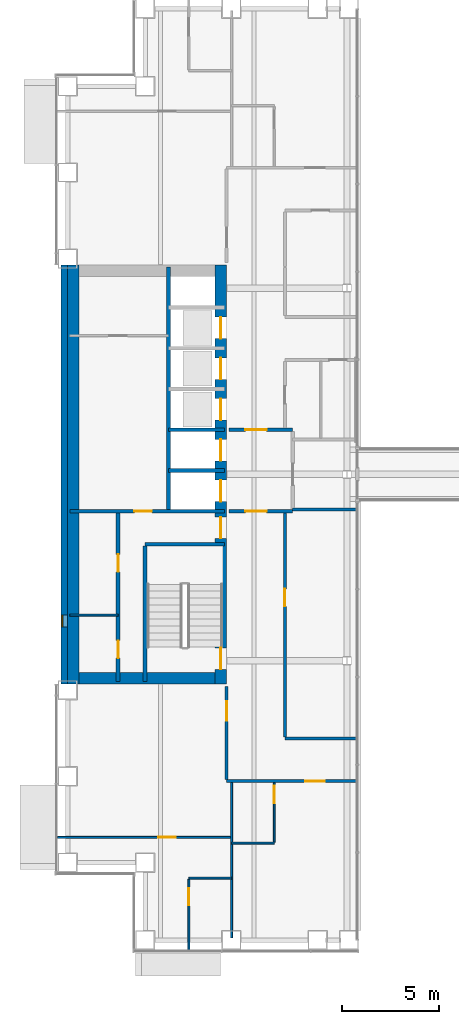
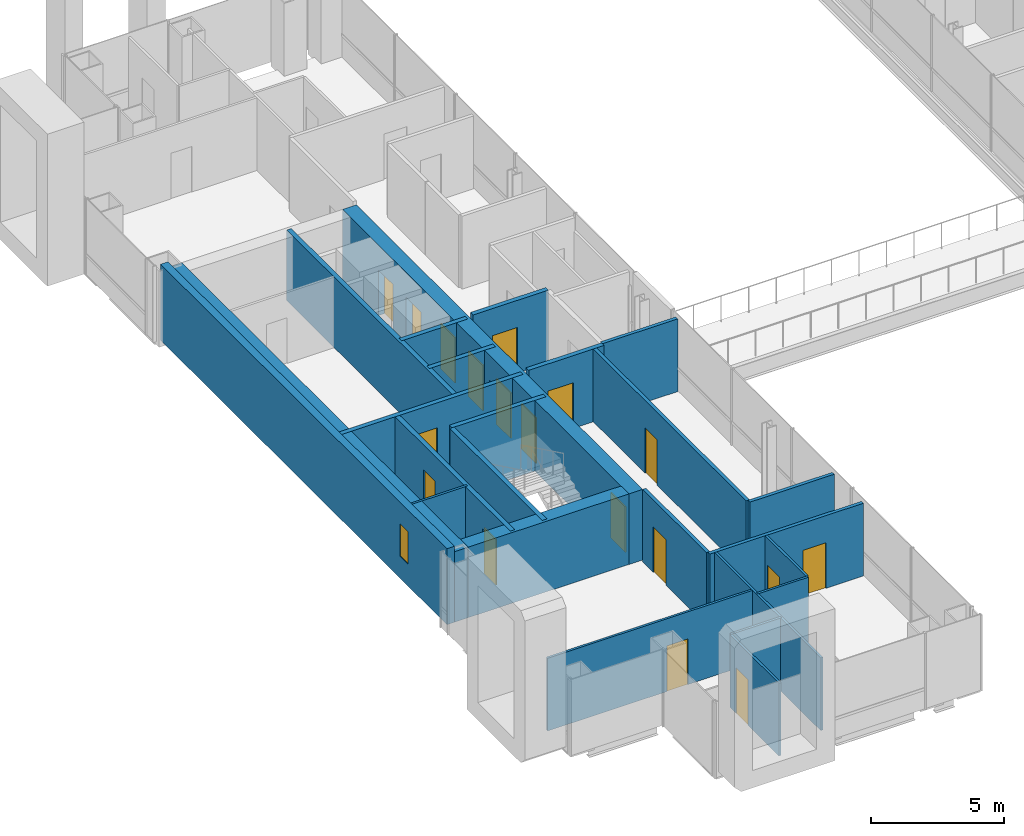
# One storey, part 14 of 21: 25 walls, 18 doors, 1 window, 19 openings.
"""IFC4 building model written with IfcOpenShell, lengths in metres."""

import ifcopenshell
import ifcopenshell.guid

model = None  # the IFC model being written
_history = None  # IfcOwnerHistory: only IFC2X3 demands one
_inside = {}  # id of a spatial element -> (the spatial element, [elements in it])
_under = {}  # id of a project, library or spatial element -> (it, [spatial elements below it])
_declared = {}  # id of a project -> (the project, [libraries it declares])
_typed = {}  # id of a type object -> (the type object, [elements of that type])
_made_of = {}  # id of a material, layer set ... -> (it, [elements and type objects made of it])


def new_model(schema):
    """Start an empty IFC model of exactly this schema.

    Asked for "IFC4X3", IfcOpenShell would pick the latest addendum, in which some entities
    have other attributes; the version numbers below select the first issue.
    IFC2X3 requires an IfcOwnerHistory on every rooted entity: one is made here for all.
    """
    global model, _history
    if schema == "IFC4X3":
        model = ifcopenshell.file(schema_version=(4, 3, 0, 0))
    else:
        model = ifcopenshell.file(schema=schema)
    _inside.clear()
    _under.clear()
    _declared.clear()
    _typed.clear()
    _made_of.clear()
    _history = None
    if model.schema == "IFC2X3":
        org = make("IfcOrganization", Name="unknown")
        user = make(
            "IfcPersonAndOrganization",
            ThePerson=make("IfcPerson", FamilyName="unknown"),
            TheOrganization=org,
        )
        app = make(
            "IfcApplication",
            ApplicationDeveloper=org,
            Version="unknown",
            ApplicationFullName="unknown",
            ApplicationIdentifier="unknown",
        )
        _history = make(
            "IfcOwnerHistory",
            OwningUser=user,
            OwningApplication=app,
            ChangeAction="ADDED",
            CreationDate=0,
        )
    return model


def make(cls, **values):
    """One entity of the class cls with the attributes given. An attribute that is None is left unset."""
    return model.create_entity(
        cls, **{name: value for name, value in values.items() if value is not None}
    )


def rooted(cls, **values):
    """An entity with a GlobalId (a new one), such as an element, a storey or a relation."""
    return make(cls, GlobalId=ifcopenshell.guid.new(), OwnerHistory=_history, **values)


def si_unit(unit_type, name, prefix=None):
    """IfcSIUnit, for example si_unit("LENGTHUNIT", "METRE", prefix="MILLI")."""
    return make("IfcSIUnit", UnitType=unit_type, Prefix=prefix, Name=name)


def assignment(units):
    """IfcUnitAssignment: the units of a project."""
    return None if units is None else make("IfcUnitAssignment", Units=units)


def point(xyz):
    """IfcCartesianPoint."""
    return None if xyz is None else make("IfcCartesianPoint", Coordinates=xyz)


def direction(xyz):
    """IfcDirection."""
    return None if xyz is None else make("IfcDirection", DirectionRatios=xyz)


def frame(location, z_axis=None, x_axis=None):
    """IfcAxis2Placement3D, a coordinate frame: its origin and axes. An axis left out is left unset."""
    return make(
        "IfcAxis2Placement3D",
        Location=point(location),
        Axis=direction(z_axis),
        RefDirection=direction(x_axis),
    )


def frame_2d(location, x_axis=None):
    """IfcAxis2Placement2D, a coordinate frame in the plane: its origin and x axis."""
    return make(
        "IfcAxis2Placement2D", Location=point(location), RefDirection=direction(x_axis)
    )


def origin():
    """The frame at (0, 0, 0) with its axes left unset."""
    return frame((0.0, 0.0, 0.0))


def place(relative_to, where):
    """IfcLocalPlacement: puts the frame where relative to a parent placement (None: the world)."""
    return make(
        "IfcLocalPlacement", PlacementRelTo=relative_to, RelativePlacement=where
    )


def context(
    kind, dimensions, precision=None, world=None, true_north=None, identifier=None
):
    """IfcGeometricRepresentationContext, for example the 3D "Model" context."""
    return make(
        "IfcGeometricRepresentationContext",
        ContextIdentifier=identifier,
        ContextType=kind,
        CoordinateSpaceDimension=dimensions,
        Precision=precision,
        WorldCoordinateSystem=world,
        TrueNorth=true_north,
    )


def subcontext(parent, identifier, kind, view, scale=None):
    """IfcGeometricRepresentationSubContext, for example "Body" below "Model"."""
    return make(
        "IfcGeometricRepresentationSubContext",
        ContextIdentifier=identifier,
        ContextType=kind,
        ParentContext=parent,
        TargetScale=scale,
        TargetView=view,
    )


def project(units=None, contexts=None):
    """IfcProject with its units and contexts."""
    return rooted(
        "IfcProject",
        Name="project",
        RepresentationContexts=contexts,
        UnitsInContext=assignment(units),
    )


def spatial(cls, under=None, at=None, **own):
    """A site, building, storey or space (cls), placed at a placement, below another one or the project."""
    s = rooted(cls, ObjectPlacement=at, **own)
    if under is not None:
        _under.setdefault(under.id(), (under, []))[1].append(s)
    return s


def profile(cls, at=None, kind="AREA", **sizes):
    """A parametric profile (cls). Its sizes go by their IFC names, for example OverallWidth=200.0."""
    return make(cls, ProfileType=kind, Position=at, **sizes)


def rectangle(**sizes):
    """IfcRectangleProfileDef."""
    return profile("IfcRectangleProfileDef", **sizes)


def extrude(swept, where, along, depth):
    """IfcExtrudedAreaSolid: the profile swept, set in the frame where, extruded along a direction by depth."""
    return make(
        "IfcExtrudedAreaSolid",
        SweptArea=swept,
        Position=where,
        ExtrudedDirection=direction(along),
        Depth=depth,
    )


def shape(context_of_items, identifier, shape_type, items):
    """IfcShapeRepresentation: the items that make up one representation, for example the "Body"."""
    return make(
        "IfcShapeRepresentation",
        ContextOfItems=context_of_items,
        RepresentationIdentifier=identifier,
        RepresentationType=shape_type,
        Items=items,
    )


def material(Name=None, Category=None):
    """IfcMaterial."""
    return make("IfcMaterial", Name=Name, Category=Category)


def layer(
    of_material, thickness, ventilated=None, Name=None, Category=None, Priority=None
):
    """IfcMaterialLayer: one layer of a wall or slab, of a material (None: an air gap)."""
    return make(
        "IfcMaterialLayer",
        Material=of_material,
        LayerThickness=thickness,
        IsVentilated=ventilated,
        Name=Name,
        Category=Category,
        Priority=Priority,
    )


def layer_set(layers, Name=None):
    """IfcMaterialLayerSet."""
    return make("IfcMaterialLayerSet", MaterialLayers=layers, LayerSetName=Name)


def made_of(thing, what):
    """Note that an element or type object is made of a material, layer set ...; save() writes the relation."""
    if what is not None:
        _made_of.setdefault(what.id(), (what, []))[1].append(thing)
    return thing


def type_object(cls, material=None, **own):
    """A type object (cls), such as IfcWallType, which elements share."""
    return made_of(rooted(cls, **own), material)


def element(
    cls,
    number,
    at=None,
    inside=None,
    cuts=None,
    type_object=None,
    material=None,
    context=None,
    identifier="Body",
    shape_type=None,
    held_by="IfcProductDefinitionShape",
    body=None,
    shapes=None,
    **own,
):
    """One element of the class cls, such as IfcWall. Its Tag is "e" and its number.

    at: its placement. inside: the storey or other place that contains it. cuts: it is an
    opening in that element (IfcRelVoidsElement). A single representation is given by context,
    identifier, shape_type and body (its items); several are given by shapes. held_by: the class
    of the entity that holds the representations. save() writes the other relations.
    """
    e = rooted(cls, Tag="e%d" % number, ObjectPlacement=at, **own)
    if body is not None:
        shapes = [shape(context, identifier, shape_type, body)]
    if shapes is not None:
        e.Representation = make(held_by, Representations=shapes)
    if inside is not None:
        _inside.setdefault(inside.id(), (inside, []))[1].append(e)
    if cuts is not None:
        rooted(
            "IfcRelVoidsElement", RelatingBuildingElement=cuts, RelatedOpeningElement=e
        )
    if type_object is not None:
        _typed.setdefault(type_object.id(), (type_object, []))[1].append(e)
    return made_of(e, material)


def fill(opening, filler):
    """IfcRelFillsElement: the door or window that sits in an opening."""
    return rooted(
        "IfcRelFillsElement",
        RelatingOpeningElement=opening,
        RelatedBuildingElement=filler,
    )


def aggregate(whole, parts):
    """IfcRelAggregates: a whole, such as a stair, and the parts it consists of."""
    return rooted("IfcRelAggregates", RelatingObject=whole, RelatedObjects=parts)


def save(model, path):
    """Write the relations noted so far, then the file.

    IfcRelAggregates (storeys below a building ...), IfcRelContainedInSpatialStructure (elements
    in a storey), IfcRelDefinesByType, IfcRelAssociatesMaterial and IfcRelDeclares: one each for
    every whole, place, type object, material and project.
    """
    for whole, parts in _under.values():
        aggregate(whole, parts)
    for where, things in _inside.values():
        rooted(
            "IfcRelContainedInSpatialStructure",
            RelatedElements=things,
            RelatingStructure=where,
        )
    for kind, things in _typed.values():
        rooted("IfcRelDefinesByType", RelatedObjects=things, RelatingType=kind)
    for what, things in _made_of.values():
        rooted("IfcRelAssociatesMaterial", RelatedObjects=things, RelatingMaterial=what)
    for by, libraries in _declared.values():
        rooted("IfcRelDeclares", RelatingContext=by, RelatedDefinitions=libraries)
    model.write(path)


model = new_model("IFC4")

# Units and contexts
model_context = context("Model", 3, precision=1e-05, world=origin(), true_north=direction((0.0, 1.0)))
body_context = subcontext(model_context, "Body", "Model", "MODEL_VIEW")
ifc_project = project(units=[si_unit("LENGTHUNIT", "METRE"), si_unit("AREAUNIT", "SQUARE_METRE"), si_unit("VOLUMEUNIT", "CUBIC_METRE"), si_unit("PLANEANGLEUNIT", "RADIAN"), si_unit("MASSUNIT", "GRAM", prefix="KILO")], contexts=[model_context])

# Site, building, storey
site_placement = place(None, origin())
site = spatial("IfcSite", under=ifc_project, at=site_placement, CompositionType="ELEMENT")
building_placement = place(site_placement, origin())
building = spatial("IfcBuilding", under=site, at=building_placement, Name="Cobrizo Arcos Hotel Tower", CompositionType="ELEMENT")
storey_placement = place(building_placement, frame((0.0, 0.0, 74.0)))
storey = spatial("IfcBuildingStorey", under=building, at=storey_placement, Name="L17", CompositionType="ELEMENT", Elevation=74.0)

# Wall, opening, door
ifc_material_1 = material(Name="Gypsum board partition")
ifc_layer_1 = layer(ifc_material_1, 0.14990234375)
ifc_layer_set_1 = layer_set([ifc_layer_1], Name="Corridor wall EI 60 150")
wall_type_1 = type_object("IfcWallType", Name="Corridor wall EI 60 150", PredefinedType="PARTITIONING", material=ifc_layer_set_1)
wall_1_placement = place(storey_placement, frame((-15.800048828125, -15.800048828125, 0.0), z_axis=(0.0, 0.0, 1.0), x_axis=(1.0, 0.0, 0.0)))
wall_1 = element("IfcWall", 1, at=wall_1_placement, inside=storey, type_object=wall_type_1, Name="Partition 007", PredefinedType="PARTITIONING", context=body_context, shape_type="SweptSolid", body=[
    extrude(rectangle(XDim=6.679931640625, YDim=0.14990234375, at=frame_2d((3.33984375, 0.0))), origin(), (0.0, 0.0, 1.0), 3.35009765625),
])
opening_1_placement = place(wall_1_placement, frame((4.047119140625, 0.0, 0.0)))
opening_1 = element("IfcOpeningElement", 2, at=opening_1_placement, cuts=wall_1, Name="Opening GD-04", PredefinedType="OPENING", context=body_context, shape_type="SweptSolid", body=[
    extrude(rectangle(XDim=1.0, YDim=2.10009765625, at=frame_2d((0.5, 1.050048828125))), frame((0.0, 0.0869140625, 0.0), z_axis=(0.0, -1.0, 0.0), x_axis=(1.0, 0.0, 0.0)), (0.0, 0.0, 1.0), 0.173828125),
])
ifc_material_2 = material(Name="Timber door leaf", Category="wood")
door_type_1 = type_object("IfcDoorType", Name="Guest room door FD30S 1000x2100", OperationType="SINGLE_SWING_LEFT", PredefinedType="DOOR", material=ifc_material_2)
door_1_placement = place(opening_1_placement, origin())
door_1 = element("IfcDoor", 3, at=door_1_placement, inside=storey, type_object=door_type_1, Name="Door GD-04", OperationType="SINGLE_SWING_LEFT", OverallHeight=2.10009765625, OverallWidth=1.0, PredefinedType="DOOR", context=body_context, shape_type="SweptSolid", body=[
    extrude(rectangle(XDim=1.0, YDim=2.10009765625, at=frame_2d((0.5, 1.050048828125))), frame((0.0, 0.02490234375, 0.0), z_axis=(0.0, -1.0, 0.0), x_axis=(1.0, 0.0, 0.0)), (0.0, 0.0, 1.0), 0.050048828125),
])
fill(opening_1, door_1)

# Walls
wall_2_placement = place(storey_placement, frame((-12.800048828125, -13.60009765625, 0.0), z_axis=(0.0, 0.0, 1.0), x_axis=(1.0, 0.0, 0.0)))
element("IfcWall", 4, at=wall_2_placement, inside=storey, type_object=wall_type_1, Name="Partition 009", PredefinedType="PARTITIONING", context=body_context, shape_type="SweptSolid", body=[
    extrude(rectangle(XDim=3.679931640625, YDim=0.14990234375, at=frame_2d((1.83984375, 0.0))), origin(), (0.0, 0.0, 1.0), 3.35009765625),
])
wall_3_placement = place(storey_placement, frame((-12.39990234375, -1.800048828125, 0.0), z_axis=(0.0, 0.0, 1.0), x_axis=(1.0, 0.0, 0.0)))
element("IfcWall", 5, at=wall_3_placement, inside=storey, type_object=wall_type_1, Name="Partition 019", PredefinedType="PARTITIONING", context=body_context, shape_type="SweptSolid", body=[
    extrude(rectangle(XDim=3.27978515625, YDim=0.14990234375, at=frame_2d((1.639892578125, 0.0))), origin(), (0.0, 0.0, 1.0), 3.35009765625),
])

# Wall, opening, door
wall_4_placement = place(storey_placement, frame((-15.800048828125, -15.72509765625, 0.0), z_axis=(0.0, 0.0, 1.0), x_axis=(0.0, 1.0, 0.0)))
wall_4 = element("IfcWall", 6, at=wall_4_placement, inside=storey, type_object=wall_type_1, Name="Partition 055", PredefinedType="PARTITIONING", context=body_context, shape_type="SweptSolid", body=[
    extrude(rectangle(XDim=4.80517578125, YDim=0.14990234375, at=frame_2d((2.402587890625, 0.0))), origin(), (0.0, 0.0, 1.0), 3.35009765625),
])
opening_2_placement = place(wall_4_placement, frame((3.02490234375, 0.0, 0.0)))
opening_2 = element("IfcOpeningElement", 7, at=opening_2_placement, cuts=wall_4, Name="Opening GD-05", PredefinedType="OPENING", context=body_context, shape_type="SweptSolid", body=[
    extrude(rectangle(XDim=1.0, YDim=2.10009765625, at=frame_2d((0.5, 1.050048828125))), frame((0.0, 0.0869140625, 0.0), z_axis=(0.0, -1.0, 0.0), x_axis=(1.0, 0.0, 0.0)), (0.0, 0.0, 1.0), 0.173828125),
])
door_2_placement = place(opening_2_placement, origin())
door_2 = element("IfcDoor", 8, at=door_2_placement, inside=storey, type_object=door_type_1, Name="Door GD-05", OperationType="SINGLE_SWING_RIGHT", OverallHeight=2.10009765625, OverallWidth=1.0, PredefinedType="DOOR", context=body_context, shape_type="SweptSolid", body=[
    extrude(rectangle(XDim=1.0, YDim=2.10009765625, at=frame_2d((0.5, 1.050048828125))), frame((0.0, 0.02490234375, 0.0), z_axis=(0.0, -1.0, 0.0), x_axis=(1.0, 0.0, 0.0)), (0.0, 0.0, 1.0), 0.050048828125),
])
fill(opening_2, door_2)

wall_5_placement = place(storey_placement, frame((-12.800048828125, -13.52490234375, 0.0), z_axis=(0.0, 0.0, 1.0), x_axis=(0.0, 1.0, 0.0)))
wall_5 = element("IfcWall", 9, at=wall_5_placement, inside=storey, type_object=wall_type_1, Name="Partition 061", PredefinedType="PARTITIONING", context=body_context, shape_type="SweptSolid", body=[
    extrude(rectangle(XDim=11.52490234375, YDim=0.14990234375, at=frame_2d((5.762451171875, 0.0))), origin(), (0.0, 0.0, 1.0), 3.35009765625),
])
opening_3_placement = place(wall_5_placement, frame((6.72509765625, 0.0, 0.0)))
opening_3 = element("IfcOpeningElement", 10, at=opening_3_placement, cuts=wall_5, Name="Opening RD-17", PredefinedType="OPENING", context=body_context, shape_type="SweptSolid", body=[
    extrude(rectangle(XDim=0.89990234375, YDim=2.10009765625, at=frame_2d((0.449951171875, 1.050048828125))), frame((0.0, 0.0869140625, 0.0), z_axis=(0.0, -1.0, 0.0), x_axis=(1.0, 0.0, 0.0)), (0.0, 0.0, 1.0), 0.173828125),
])
door_type_2 = type_object("IfcDoorType", Name="Room door FD30 900x2100", OperationType="SINGLE_SWING_LEFT", PredefinedType="DOOR", material=ifc_material_2)
door_3_placement = place(opening_3_placement, origin())
door_3 = element("IfcDoor", 11, at=door_3_placement, inside=storey, type_object=door_type_2, Name="Door RD-17", OperationType="SINGLE_SWING_RIGHT", OverallHeight=2.10009765625, OverallWidth=0.89990234375, PredefinedType="DOOR", context=body_context, shape_type="SweptSolid", body=[
    extrude(rectangle(XDim=0.89990234375, YDim=2.10009765625, at=frame_2d((0.449951171875, 1.050048828125))), frame((0.0, 0.02490234375, 0.0), z_axis=(0.0, -1.0, 0.0), x_axis=(1.0, 0.0, 0.0)), (0.0, 0.0, 1.0), 0.050048828125),
])
fill(opening_3, door_3)

# Wall, opening, window
ifc_material_3 = material(Name="Aluminium composite panel pale metal", Category="aluminium")
ifc_layer_2 = layer(ifc_material_3, 0.324951171875)
ifc_layer_set_2 = layer_set([ifc_layer_2], Name="EW-1 insulated panel wall 325")
wall_type_2 = type_object("IfcWallType", Name="EW-1 insulated panel wall 325", PredefinedType="SOLIDWALL", material=ifc_layer_set_2)
wall_6_placement = place(storey_placement, frame((-24.16259765625, 10.800048828125, 0.0), z_axis=(0.0, 0.0, 1.0), x_axis=(0.0, -1.0, 0.0)))
wall_6 = element("IfcWall", 12, at=wall_6_placement, inside=storey, type_object=wall_type_2, Name="Core face wall L17 W", PredefinedType="SOLIDWALL", context=body_context, shape_type="SweptSolid", body=[
    extrude(rectangle(XDim=21.60009765625, YDim=0.324951171875, at=frame_2d((10.800048828125, 0.0))), origin(), (0.0, 0.0, 1.0), 3.5),
])
opening_4_placement = place(wall_6_placement, frame((18.050048828125, 0.0, 1.0)))
opening_4 = element("IfcOpeningElement", 13, at=opening_4_placement, cuts=wall_6, Name="Opening W-30", PredefinedType="OPENING", context=body_context, shape_type="SweptSolid", body=[
    extrude(rectangle(XDim=0.60009765625, YDim=1.5, at=frame_2d((0.300048828125, 0.75))), frame((0.0, 0.174560546875, 0.0), z_axis=(0.0, -1.0, 0.0), x_axis=(1.0, 0.0, 0.0)), (0.0, 0.0, 1.0), 0.348876953125),
])
ifc_material_4 = material(Name="Aluminium 6063-T6 and clear laminated glass", Category="aluminium")
window_type = type_object("IfcWindowType", Name="W-C1 core stair slot window 600x1500", PartitioningType="SINGLE_PANEL", PredefinedType="WINDOW", material=ifc_material_4)
window_placement = place(opening_4_placement, origin())
window = element("IfcWindow", 14, at=window_placement, inside=storey, type_object=window_type, Name="Core face wall L17 W window W-30", OverallHeight=1.5, OverallWidth=0.60009765625, PartitioningType="SINGLE_PANEL", PredefinedType="WINDOW", context=body_context, shape_type="SweptSolid", body=[
    extrude(rectangle(XDim=0.60009765625, YDim=1.5, at=frame_2d((0.300048828125, 0.75))), frame((0.0, -0.072509765625, 0.0), z_axis=(0.0, -1.0, 0.0), x_axis=(1.0, 0.0, 0.0)), (0.0, 0.0, 1.0), 0.06005859375),
])
fill(opening_4, window)

# Walls
ifc_layer_3 = layer(ifc_material_1, 0.10009765625)
ifc_layer_set_3 = layer_set([ifc_layer_3], Name="Partition EI 30 100")
wall_type_3 = type_object("IfcWallType", Name="Partition EI 30 100", PredefinedType="PARTITIONING", material=ifc_layer_set_3)
for number, where, z_axis, x_axis, name in (
    (15, (-17.75, -20.800048828125, 0.0), (0.0, 0.0, 1.0), (1.0, 0.0, 0.0), "Partition 001"),
    (16, (-15.550048828125, -19.0, 0.0), (0.0, 0.0, 1.0), (1.0, 0.0, 0.0), "Partition 003"),
):
    element("IfcWall", number, at=place(storey_placement, frame(where, z_axis=z_axis, x_axis=x_axis)), inside=storey, type_object=wall_type_3, Name=name, PredefinedType="PARTITIONING", context=body_context, shape_type="SweptSolid", body=[
        extrude(rectangle(XDim=2.199951171875, YDim=0.10009765625, at=frame_2d((1.10009765625, 0.0))), origin(), (0.0, 0.0, 1.0), 3.35009765625),
    ])

# Wall, opening, door
wall_7_placement = place(storey_placement, frame((-24.530029296875, -18.699951171875, 0.0), z_axis=(0.0, 0.0, 1.0), x_axis=(1.0, 0.0, 0.0)))
wall_7 = element("IfcWall", 17, at=wall_7_placement, inside=storey, type_object=wall_type_3, Name="Partition 005", PredefinedType="PARTITIONING", context=body_context, shape_type="SweptSolid", body=[
    extrude(rectangle(XDim=8.97998046875, YDim=0.10009765625, at=frame_2d((4.489990234375, 0.0))), origin(), (0.0, 0.0, 1.0), 3.35009765625),
])
opening_5_placement = place(wall_7_placement, frame((5.201904296875, 0.0, 0.0)))
opening_5 = element("IfcOpeningElement", 18, at=opening_5_placement, cuts=wall_7, Name="Opening RD-09", PredefinedType="OPENING", context=body_context, shape_type="SweptSolid", body=[
    extrude(rectangle(XDim=0.89990234375, YDim=2.10009765625, at=frame_2d((0.449951171875, 1.050048828125))), frame((0.0, 0.06201171875, 0.0), z_axis=(0.0, -1.0, 0.0), x_axis=(1.0, 0.0, 0.0)), (0.0, 0.0, 1.0), 0.1240234375),
])
door_4_placement = place(opening_5_placement, origin())
door_4 = element("IfcDoor", 19, at=door_4_placement, inside=storey, type_object=door_type_2, Name="Door RD-09", OperationType="SINGLE_SWING_LEFT", OverallHeight=2.10009765625, OverallWidth=0.89990234375, PredefinedType="DOOR", context=body_context, shape_type="SweptSolid", body=[
    extrude(rectangle(XDim=0.89990234375, YDim=2.10009765625, at=frame_2d((0.449951171875, 1.050048828125))), frame((0.0, 0.02490234375, 0.0), z_axis=(0.0, -1.0, 0.0), x_axis=(1.0, 0.0, 0.0)), (0.0, 0.0, 1.0), 0.050048828125),
])
fill(opening_5, door_4)

# Wall
wall_8_placement = place(storey_placement, frame((-23.8798828125, -7.25, 0.0), z_axis=(0.0, 0.0, 1.0), x_axis=(1.0, 0.0, 0.0)))
element("IfcWall", 20, at=wall_8_placement, inside=storey, type_object=wall_type_3, Name="Partition 011", PredefinedType="PARTITIONING", context=body_context, shape_type="SweptSolid", body=[
    extrude(rectangle(XDim=2.47998046875, YDim=0.10009765625, at=frame_2d((1.239990234375, 0.0))), origin(), (0.0, 0.0, 1.0), 3.25),
])

# Wall, opening, door
wall_9_placement = place(storey_placement, frame((-17.75, -24.530029296875, 0.0), z_axis=(0.0, 0.0, 1.0), x_axis=(0.0, 1.0, 0.0)))
wall_9 = element("IfcWall", 21, at=wall_9_placement, inside=storey, type_object=wall_type_3, Name="Partition 053", PredefinedType="PARTITIONING", context=body_context, shape_type="SweptSolid", body=[
    extrude(rectangle(XDim=3.679931640625, YDim=0.10009765625, at=frame_2d((1.83984375, 0.0))), origin(), (0.0, 0.0, 1.0), 3.35009765625),
])
opening_6_placement = place(wall_9_placement, frame((2.320068359375, 0.0, 0.0)))
opening_6 = element("IfcOpeningElement", 22, at=opening_6_placement, cuts=wall_9, Name="Opening ED-05", PredefinedType="OPENING", context=body_context, shape_type="SweptSolid", body=[
    extrude(rectangle(XDim=0.89990234375, YDim=2.10009765625, at=frame_2d((0.449951171875, 1.050048828125))), frame((0.0, 0.06201171875, 0.0), z_axis=(0.0, -1.0, 0.0), x_axis=(1.0, 0.0, 0.0)), (0.0, 0.0, 1.0), 0.1240234375),
])
door_type_3 = type_object("IfcDoorType", Name="En-suite door 900x2100", OperationType="SINGLE_SWING_LEFT", PredefinedType="DOOR", material=ifc_material_2)
door_5_placement = place(opening_6_placement, origin())
door_5 = element("IfcDoor", 23, at=door_5_placement, inside=storey, type_object=door_type_3, Name="Door ED-05", OperationType="SINGLE_SWING_RIGHT", OverallHeight=2.10009765625, OverallWidth=0.89990234375, PredefinedType="DOOR", context=body_context, shape_type="SweptSolid", body=[
    extrude(rectangle(XDim=0.89990234375, YDim=2.10009765625, at=frame_2d((0.449951171875, 1.050048828125))), frame((0.0, 0.02490234375, 0.0), z_axis=(0.0, -1.0, 0.0), x_axis=(1.0, 0.0, 0.0)), (0.0, 0.0, 1.0), 0.050048828125),
])
fill(opening_6, door_5)

# Wall
wall_10_placement = place(storey_placement, frame((-15.550048828125, -23.8798828125, 0.0), z_axis=(0.0, 0.0, 1.0), x_axis=(0.0, 1.0, 0.0)))
element("IfcWall", 24, at=wall_10_placement, inside=storey, type_object=wall_type_3, Name="Partition 057", PredefinedType="PARTITIONING", context=body_context, shape_type="SweptSolid", body=[
    extrude(rectangle(XDim=8.0048828125, YDim=0.10009765625, at=frame_2d((4.00244140625, 0.0))), origin(), (0.0, 0.0, 1.0), 3.35009765625),
])

# Wall, opening, door
wall_11_placement = place(storey_placement, frame((-13.35009765625, -18.949951171875, 0.0), z_axis=(0.0, 0.0, 1.0), x_axis=(0.0, 1.0, 0.0)))
wall_11 = element("IfcWall", 25, at=wall_11_placement, inside=storey, type_object=wall_type_3, Name="Partition 059", PredefinedType="PARTITIONING", context=body_context, shape_type="SweptSolid", body=[
    extrude(rectangle(XDim=3.074951171875, YDim=0.10009765625, at=frame_2d((1.53759765625, 0.0))), origin(), (0.0, 0.0, 1.0), 3.35009765625),
])
opening_7_placement = place(wall_11_placement, frame((1.99609375, 0.0, 0.0)))
opening_7 = element("IfcOpeningElement", 26, at=opening_7_placement, cuts=wall_11, Name="Opening ED-04", PredefinedType="OPENING", context=body_context, shape_type="SweptSolid", body=[
    extrude(rectangle(XDim=0.89990234375, YDim=2.10009765625, at=frame_2d((0.449951171875, 1.050048828125))), frame((0.0, 0.06201171875, 0.0), z_axis=(0.0, -1.0, 0.0), x_axis=(1.0, 0.0, 0.0)), (0.0, 0.0, 1.0), 0.1240234375),
])
door_6_placement = place(opening_7_placement, origin())
door_6 = element("IfcDoor", 27, at=door_6_placement, inside=storey, type_object=door_type_3, Name="Door ED-04", OperationType="SINGLE_SWING_RIGHT", OverallHeight=2.10009765625, OverallWidth=0.89990234375, PredefinedType="DOOR", context=body_context, shape_type="SweptSolid", body=[
    extrude(rectangle(XDim=0.89990234375, YDim=2.10009765625, at=frame_2d((0.449951171875, 1.050048828125))), frame((0.0, 0.02490234375, 0.0), z_axis=(0.0, -1.0, 0.0), x_axis=(1.0, 0.0, 0.0)), (0.0, 0.0, 1.0), 0.050048828125),
])
fill(opening_7, door_6)

# Wall, openings, doors
ifc_material_5 = material(Name="Concrete f'c 60 MPa", Category="concrete")
ifc_layer_4 = layer(ifc_material_5, 0.60009765625)
ifc_layer_set_4 = layer_set([ifc_layer_4], Name="RC core wall 600 f'c 60")
wall_type_4 = type_object("IfcWallType", Name="RC core wall 600 f'c 60", PredefinedType="SHEAR", material=ifc_layer_set_4)
wall_12_placement = place(storey_placement, frame((-16.10009765625, -10.800048828125, 0.0), z_axis=(0.0, 0.0, 1.0), x_axis=(0.0, 1.0, 0.0)))
wall_12 = element("IfcWall", 28, at=wall_12_placement, inside=storey, type_object=wall_type_4, Name="Core wall CW1, west core, inner face, L17", PredefinedType="SHEAR", context=body_context, shape_type="SweptSolid", body=[
    extrude(rectangle(XDim=21.60009765625, YDim=0.60009765625, at=frame_2d((10.800048828125, 0.0))), origin(), (0.0, 0.0, 1.0), 3.25),
])
opening_8_placement = place(wall_12_placement, frame((9.39990234375, 0.0, 0.0)))
opening_8 = element("IfcOpeningElement", 29, at=opening_8_placement, cuts=wall_12, Name="Opening LD-01", PredefinedType="OPENING", context=body_context, shape_type="SweptSolid", body=[
    extrude(rectangle(XDim=1.10009765625, YDim=2.10009765625, at=frame_2d((0.550048828125, 1.050048828125))), frame((0.0, 0.31201171875, 0.0), z_axis=(0.0, -1.0, 0.0), x_axis=(1.0, 0.0, 0.0)), (0.0, 0.0, 1.0), 0.6240234375),
])
opening_9_placement = place(wall_12_placement, frame((11.5, 0.0, 0.0)))
opening_9 = element("IfcOpeningElement", 30, at=opening_9_placement, cuts=wall_12, Name="Opening LD-02", PredefinedType="OPENING", context=body_context, shape_type="SweptSolid", body=[
    extrude(rectangle(XDim=1.10009765625, YDim=2.10009765625, at=frame_2d((0.550048828125, 1.050048828125))), frame((0.0, 0.31201171875, 0.0), z_axis=(0.0, -1.0, 0.0), x_axis=(1.0, 0.0, 0.0)), (0.0, 0.0, 1.0), 0.6240234375),
])
opening_10_placement = place(wall_12_placement, frame((13.60009765625, 0.0, 0.0)))
opening_10 = element("IfcOpeningElement", 31, at=opening_10_placement, cuts=wall_12, Name="Opening LD-03", PredefinedType="OPENING", context=body_context, shape_type="SweptSolid", body=[
    extrude(rectangle(XDim=1.10009765625, YDim=2.10009765625, at=frame_2d((0.550048828125, 1.050048828125))), frame((0.0, 0.31201171875, 0.0), z_axis=(0.0, -1.0, 0.0), x_axis=(1.0, 0.0, 0.0)), (0.0, 0.0, 1.0), 0.6240234375),
])
opening_11_placement = place(wall_12_placement, frame((15.699951171875, 0.0, 0.0)))
opening_11 = element("IfcOpeningElement", 32, at=opening_11_placement, cuts=wall_12, Name="Opening LD-04", PredefinedType="OPENING", context=body_context, shape_type="SweptSolid", body=[
    extrude(rectangle(XDim=1.10009765625, YDim=2.10009765625, at=frame_2d((0.550048828125, 1.050048828125))), frame((0.0, 0.31201171875, 0.0), z_axis=(0.0, -1.0, 0.0), x_axis=(1.0, 0.0, 0.0)), (0.0, 0.0, 1.0), 0.6240234375),
])
opening_12_placement = place(wall_12_placement, frame((17.800048828125, 0.0, 0.0)))
opening_12 = element("IfcOpeningElement", 33, at=opening_12_placement, cuts=wall_12, Name="Opening LD-05", PredefinedType="OPENING", context=body_context, shape_type="SweptSolid", body=[
    extrude(rectangle(XDim=1.10009765625, YDim=2.10009765625, at=frame_2d((0.550048828125, 1.050048828125))), frame((0.0, 0.31201171875, 0.0), z_axis=(0.0, -1.0, 0.0), x_axis=(1.0, 0.0, 0.0)), (0.0, 0.0, 1.0), 0.6240234375),
])
opening_13_placement = place(wall_12_placement, frame((0.758056640625, 0.0, 0.0)))
opening_13 = element("IfcOpeningElement", 34, at=opening_13_placement, cuts=wall_12, Name="Opening SD-01", PredefinedType="OPENING", context=body_context, shape_type="SweptSolid", body=[
    extrude(rectangle(XDim=1.10009765625, YDim=2.10009765625, at=frame_2d((0.550048828125, 1.050048828125))), frame((0.0, 0.31201171875, 0.0), z_axis=(0.0, -1.0, 0.0), x_axis=(1.0, 0.0, 0.0)), (0.0, 0.0, 1.0), 0.6240234375),
])
opening_14_placement = place(wall_12_placement, frame((7.5, 0.0, 0.0)))
opening_14 = element("IfcOpeningElement", 35, at=opening_14_placement, cuts=wall_12, Name="Opening FD-01", PredefinedType="OPENING", context=body_context, shape_type="SweptSolid", body=[
    extrude(rectangle(XDim=1.10009765625, YDim=2.10009765625, at=frame_2d((0.550048828125, 1.050048828125))), frame((0.0, 0.31201171875, 0.0), z_axis=(0.0, -1.0, 0.0), x_axis=(1.0, 0.0, 0.0)), (0.0, 0.0, 1.0), 0.6240234375),
])
ifc_material_6 = material(Name="Steel door leaf", Category="steel")
door_type_4 = type_object("IfcDoorType", Name="Fire door FD60 1100x2100", OperationType="SINGLE_SWING_LEFT", PredefinedType="DOOR", material=ifc_material_6)
door_7_placement = place(opening_14_placement, origin())
door_7 = element("IfcDoor", 36, at=door_7_placement, inside=storey, type_object=door_type_4, Name="Door FD-01", OperationType="SINGLE_SWING_RIGHT", OverallHeight=2.10009765625, OverallWidth=1.10009765625, PredefinedType="DOOR", context=body_context, shape_type="SweptSolid", body=[
    extrude(rectangle(XDim=1.10009765625, YDim=2.10009765625, at=frame_2d((0.550048828125, 1.050048828125))), frame((0.0, 0.02490234375, 0.0), z_axis=(0.0, -1.0, 0.0), x_axis=(1.0, 0.0, 0.0)), (0.0, 0.0, 1.0), 0.050048828125),
])
fill(opening_14, door_7)
door_type_5 = type_object("IfcDoorType", Name="Lift landing door 1100x2100", OperationType="SLIDING_TO_LEFT", PredefinedType="DOOR", material=ifc_material_6)
door_8_placement = place(opening_8_placement, origin())
door_8 = element("IfcDoor", 37, at=door_8_placement, inside=storey, type_object=door_type_5, Name="Lift landing door LD-01", OperationType="SLIDING_TO_LEFT", OverallHeight=2.10009765625, OverallWidth=1.10009765625, PredefinedType="DOOR", context=body_context, shape_type="SweptSolid", body=[
    extrude(rectangle(XDim=1.10009765625, YDim=2.10009765625, at=frame_2d((0.550048828125, 1.050048828125))), frame((0.0, 0.02490234375, 0.0), z_axis=(0.0, -1.0, 0.0), x_axis=(1.0, 0.0, 0.0)), (0.0, 0.0, 1.0), 0.050048828125),
])
fill(opening_8, door_8)
door_9_placement = place(opening_9_placement, origin())
door_9 = element("IfcDoor", 38, at=door_9_placement, inside=storey, type_object=door_type_5, Name="Lift landing door LD-02", OperationType="SLIDING_TO_LEFT", OverallHeight=2.10009765625, OverallWidth=1.10009765625, PredefinedType="DOOR", context=body_context, shape_type="SweptSolid", body=[
    extrude(rectangle(XDim=1.10009765625, YDim=2.10009765625, at=frame_2d((0.550048828125, 1.050048828125))), frame((0.0, 0.02490234375, 0.0), z_axis=(0.0, -1.0, 0.0), x_axis=(1.0, 0.0, 0.0)), (0.0, 0.0, 1.0), 0.050048828125),
])
fill(opening_9, door_9)
door_10_placement = place(opening_10_placement, origin())
door_10 = element("IfcDoor", 39, at=door_10_placement, inside=storey, type_object=door_type_5, Name="Lift landing door LD-03", OperationType="SLIDING_TO_LEFT", OverallHeight=2.10009765625, OverallWidth=1.10009765625, PredefinedType="DOOR", context=body_context, shape_type="SweptSolid", body=[
    extrude(rectangle(XDim=1.10009765625, YDim=2.10009765625, at=frame_2d((0.550048828125, 1.050048828125))), frame((0.0, 0.02490234375, 0.0), z_axis=(0.0, -1.0, 0.0), x_axis=(1.0, 0.0, 0.0)), (0.0, 0.0, 1.0), 0.050048828125),
])
fill(opening_10, door_10)
door_11_placement = place(opening_11_placement, origin())
door_11 = element("IfcDoor", 40, at=door_11_placement, inside=storey, type_object=door_type_5, Name="Lift landing door LD-04", OperationType="SLIDING_TO_LEFT", OverallHeight=2.10009765625, OverallWidth=1.10009765625, PredefinedType="DOOR", context=body_context, shape_type="SweptSolid", body=[
    extrude(rectangle(XDim=1.10009765625, YDim=2.10009765625, at=frame_2d((0.550048828125, 1.050048828125))), frame((0.0, 0.02490234375, 0.0), z_axis=(0.0, -1.0, 0.0), x_axis=(1.0, 0.0, 0.0)), (0.0, 0.0, 1.0), 0.050048828125),
])
fill(opening_11, door_11)
door_12_placement = place(opening_12_placement, origin())
door_12 = element("IfcDoor", 41, at=door_12_placement, inside=storey, type_object=door_type_5, Name="Lift landing door LD-05", OperationType="SLIDING_TO_LEFT", OverallHeight=2.10009765625, OverallWidth=1.10009765625, PredefinedType="DOOR", context=body_context, shape_type="SweptSolid", body=[
    extrude(rectangle(XDim=1.10009765625, YDim=2.10009765625, at=frame_2d((0.550048828125, 1.050048828125))), frame((0.0, 0.02490234375, 0.0), z_axis=(0.0, -1.0, 0.0), x_axis=(1.0, 0.0, 0.0)), (0.0, 0.0, 1.0), 0.050048828125),
])
fill(opening_12, door_12)
door_type_6 = type_object("IfcDoorType", Name="Stair door FD60S 1100x2100", OperationType="SINGLE_SWING_LEFT", PredefinedType="DOOR", material=ifc_material_6)
door_13_placement = place(opening_13_placement, origin())
door_13 = element("IfcDoor", 42, at=door_13_placement, inside=storey, type_object=door_type_6, Name="Door SD-01", OperationType="SINGLE_SWING_RIGHT", OverallHeight=2.10009765625, OverallWidth=1.10009765625, PredefinedType="DOOR", context=body_context, shape_type="SweptSolid", body=[
    extrude(rectangle(XDim=1.10009765625, YDim=2.10009765625, at=frame_2d((0.550048828125, 1.050048828125))), frame((0.0, 0.02490234375, 0.0), z_axis=(0.0, -1.0, 0.0), x_axis=(1.0, 0.0, 0.0)), (0.0, 0.0, 1.0), 0.050048828125),
])
fill(opening_13, door_13)

# Walls
wall_13_placement = place(storey_placement, frame((-23.699951171875, -10.800048828125, 0.0), z_axis=(0.0, 0.0, 1.0), x_axis=(0.0, 1.0, 0.0)))
element("IfcWall", 43, at=wall_13_placement, inside=storey, type_object=wall_type_4, Name="Core wall CW1, west core, outer face, L17", PredefinedType="SHEAR", context=body_context, shape_type="SweptSolid", body=[
    extrude(rectangle(XDim=21.60009765625, YDim=0.60009765625, at=frame_2d((10.800048828125, 0.0))), origin(), (0.0, 0.0, 1.0), 3.25),
])
wall_14_placement = place(storey_placement, frame((-23.39990234375, -10.5, 0.0), z_axis=(0.0, 0.0, 1.0), x_axis=(1.0, 0.0, 0.0)))
element("IfcWall", 44, at=wall_14_placement, inside=storey, type_object=wall_type_4, Name="Core wall CW1, west core, south end, L17", PredefinedType="SHEAR", context=body_context, shape_type="SweptSolid", body=[
    extrude(rectangle(XDim=7.0, YDim=0.60009765625, at=frame_2d((3.5, 0.0))), origin(), (0.0, 0.0, 1.0), 3.25),
])

# Wall, opening, door
ifc_layer_5 = layer(ifc_material_1, 0.199951171875)
ifc_layer_set_5 = layer_set([ifc_layer_5], Name="Shaft wall EI 120 200")
wall_type_5 = type_object("IfcWallType", Name="Shaft wall EI 120 200", PredefinedType="PARTITIONING", material=ifc_layer_set_5)
wall_15_placement = place(storey_placement, frame((-23.8798828125, -1.89990234375, 0.0), z_axis=(0.0, 0.0, 1.0), x_axis=(1.0, 0.0, 0.0)))
wall_15 = element("IfcWall", 45, at=wall_15_placement, inside=storey, type_object=wall_type_5, Name="Partition 015", PredefinedType="PARTITIONING", context=body_context, shape_type="SweptSolid", body=[
    extrude(rectangle(XDim=7.9599609375, YDim=0.199951171875, at=frame_2d((3.97998046875, 0.0))), origin(), (0.0, 0.0, 1.0), 3.25),
])
opening_15_placement = place(wall_15_placement, frame((3.320068359375, 0.0, 0.0)))
opening_15 = element("IfcOpeningElement", 46, at=opening_15_placement, cuts=wall_15, Name="Opening RD-03", PredefinedType="OPENING", context=body_context, shape_type="SweptSolid", body=[
    extrude(rectangle(XDim=0.89990234375, YDim=2.10009765625, at=frame_2d((0.449951171875, 1.050048828125))), frame((0.0, 0.112060546875, 0.0), z_axis=(0.0, -1.0, 0.0), x_axis=(1.0, 0.0, 0.0)), (0.0, 0.0, 1.0), 0.223876953125),
])
door_14_placement = place(opening_15_placement, origin())
door_14 = element("IfcDoor", 47, at=door_14_placement, inside=storey, type_object=door_type_2, Name="Door RD-03", OperationType="SINGLE_SWING_RIGHT", OverallHeight=2.10009765625, OverallWidth=0.89990234375, PredefinedType="DOOR", context=body_context, shape_type="SweptSolid", body=[
    extrude(rectangle(XDim=0.89990234375, YDim=2.10009765625, at=frame_2d((0.449951171875, 1.050048828125))), frame((0.0, 0.02490234375, 0.0), z_axis=(0.0, -1.0, 0.0), x_axis=(1.0, 0.0, 0.0)), (0.0, 0.0, 1.0), 0.050048828125),
])
fill(opening_15, door_14)

wall_16_placement = place(storey_placement, frame((-15.679931640625, -1.89990234375, 0.0), z_axis=(0.0, 0.0, 1.0), x_axis=(1.0, 0.0, 0.0)))
wall_16 = element("IfcWall", 48, at=wall_16_placement, inside=storey, type_object=wall_type_5, Name="Partition 016", PredefinedType="PARTITIONING", context=body_context, shape_type="SweptSolid", body=[
    extrude(rectangle(XDim=3.280029296875, YDim=0.199951171875, at=frame_2d((1.64013671875, 0.0))), origin(), (0.0, 0.0, 1.0), 3.35009765625),
])
opening_16_placement = place(wall_16_placement, frame((0.840087890625, 0.0, 0.0)))
opening_16 = element("IfcOpeningElement", 49, at=opening_16_placement, cuts=wall_16, Name="Opening FD-03", PredefinedType="OPENING", context=body_context, shape_type="SweptSolid", body=[
    extrude(rectangle(XDim=1.10009765625, YDim=2.10009765625, at=frame_2d((0.550048828125, 1.050048828125))), frame((0.0, 0.112060546875, 0.0), z_axis=(0.0, -1.0, 0.0), x_axis=(1.0, 0.0, 0.0)), (0.0, 0.0, 1.0), 0.223876953125),
])
door_15_placement = place(opening_16_placement, origin())
door_15 = element("IfcDoor", 50, at=door_15_placement, inside=storey, type_object=door_type_4, Name="Door FD-03", OperationType="SINGLE_SWING_LEFT", OverallHeight=2.10009765625, OverallWidth=1.10009765625, PredefinedType="DOOR", context=body_context, shape_type="SweptSolid", body=[
    extrude(rectangle(XDim=1.10009765625, YDim=2.10009765625, at=frame_2d((0.550048828125, 1.050048828125))), frame((0.0, 0.02490234375, 0.0), z_axis=(0.0, -1.0, 0.0), x_axis=(1.0, 0.0, 0.0)), (0.0, 0.0, 1.0), 0.050048828125),
])
fill(opening_16, door_15)

# Walls
for number, where, z_axis, x_axis, name in (
    (51, (-18.800048828125, 0.199951171875, 0.0), (0.0, 0.0, 1.0), (1.0, 0.0, 0.0), "Partition 021"),
    (52, (-18.800048828125, 2.300048828125, 0.0), (0.0, 0.0, 1.0), (1.0, 0.0, 0.0), "Partition 025"),
):
    element("IfcWall", number, at=place(storey_placement, frame(where, z_axis=z_axis, x_axis=x_axis)), inside=storey, type_object=wall_type_5, Name=name, PredefinedType="PARTITIONING", context=body_context, shape_type="SweptSolid", body=[
        extrude(rectangle(XDim=2.880126953125, YDim=0.199951171875, at=frame_2d((1.43994140625, 0.0))), origin(), (0.0, 0.0, 1.0), 3.25),
    ])

# Wall, opening, door
wall_17_placement = place(storey_placement, frame((-15.679931640625, 2.300048828125, 0.0), z_axis=(0.0, 0.0, 1.0), x_axis=(1.0, 0.0, 0.0)))
wall_17 = element("IfcWall", 53, at=wall_17_placement, inside=storey, type_object=wall_type_5, Name="Partition 026", PredefinedType="PARTITIONING", context=body_context, shape_type="SweptSolid", body=[
    extrude(rectangle(XDim=3.280029296875, YDim=0.199951171875, at=frame_2d((1.64013671875, 0.0))), origin(), (0.0, 0.0, 1.0), 3.35009765625),
])
opening_17_placement = place(wall_17_placement, frame((0.840087890625, 0.0, 0.0)))
opening_17 = element("IfcOpeningElement", 54, at=opening_17_placement, cuts=wall_17, Name="Opening FD-04", PredefinedType="OPENING", context=body_context, shape_type="SweptSolid", body=[
    extrude(rectangle(XDim=1.10009765625, YDim=2.10009765625, at=frame_2d((0.550048828125, 1.050048828125))), frame((0.0, 0.112060546875, 0.0), z_axis=(0.0, -1.0, 0.0), x_axis=(1.0, 0.0, 0.0)), (0.0, 0.0, 1.0), 0.223876953125),
])
door_16_placement = place(opening_17_placement, origin())
door_16 = element("IfcDoor", 55, at=door_16_placement, inside=storey, type_object=door_type_4, Name="Door FD-04", OperationType="SINGLE_SWING_LEFT", OverallHeight=2.10009765625, OverallWidth=1.10009765625, PredefinedType="DOOR", context=body_context, shape_type="SweptSolid", body=[
    extrude(rectangle(XDim=1.10009765625, YDim=2.10009765625, at=frame_2d((0.550048828125, 1.050048828125))), frame((0.0, 0.02490234375, 0.0), z_axis=(0.0, -1.0, 0.0), x_axis=(1.0, 0.0, 0.0)), (0.0, 0.0, 1.0), 0.050048828125),
])
fill(opening_17, door_16)

# Wall, openings, doors
wall_18_placement = place(storey_placement, frame((-21.39990234375, -10.679931640625, 0.0), z_axis=(0.0, 0.0, 1.0), x_axis=(0.0, 1.0, 0.0)))
wall_18 = element("IfcWall", 56, at=wall_18_placement, inside=storey, type_object=wall_type_5, Name="Partition 050", PredefinedType="PARTITIONING", context=body_context, shape_type="SweptSolid", body=[
    extrude(rectangle(XDim=8.679931640625, YDim=0.199951171875, at=frame_2d((4.33984375, 0.0))), origin(), (0.0, 0.0, 1.0), 3.25),
])
opening_18_placement = place(wall_18_placement, frame((1.2099609375, 0.0, 0.0)))
opening_18 = element("IfcOpeningElement", 57, at=opening_18_placement, cuts=wall_18, Name="Opening RD-01", PredefinedType="OPENING", context=body_context, shape_type="SweptSolid", body=[
    extrude(rectangle(XDim=0.89990234375, YDim=2.10009765625, at=frame_2d((0.449951171875, 1.050048828125))), frame((0.0, 0.112060546875, 0.0), z_axis=(0.0, -1.0, 0.0), x_axis=(1.0, 0.0, 0.0)), (0.0, 0.0, 1.0), 0.223876953125),
])
opening_19_placement = place(wall_18_placement, frame((5.659912109375, 0.0, 0.0)))
opening_19 = element("IfcOpeningElement", 58, at=opening_19_placement, cuts=wall_18, Name="Opening RD-02", PredefinedType="OPENING", context=body_context, shape_type="SweptSolid", body=[
    extrude(rectangle(XDim=0.89990234375, YDim=2.10009765625, at=frame_2d((0.449951171875, 1.050048828125))), frame((0.0, 0.112060546875, 0.0), z_axis=(0.0, -1.0, 0.0), x_axis=(1.0, 0.0, 0.0)), (0.0, 0.0, 1.0), 0.223876953125),
])
door_17_placement = place(opening_18_placement, origin())
door_17 = element("IfcDoor", 59, at=door_17_placement, inside=storey, type_object=door_type_2, Name="Door RD-01", OperationType="SINGLE_SWING_RIGHT", OverallHeight=2.10009765625, OverallWidth=0.89990234375, PredefinedType="DOOR", context=body_context, shape_type="SweptSolid", body=[
    extrude(rectangle(XDim=0.89990234375, YDim=2.10009765625, at=frame_2d((0.449951171875, 1.050048828125))), frame((0.0, 0.02490234375, 0.0), z_axis=(0.0, -1.0, 0.0), x_axis=(1.0, 0.0, 0.0)), (0.0, 0.0, 1.0), 0.050048828125),
])
fill(opening_18, door_17)
door_18_placement = place(opening_19_placement, origin())
door_18 = element("IfcDoor", 60, at=door_18_placement, inside=storey, type_object=door_type_2, Name="Door RD-02", OperationType="SINGLE_SWING_RIGHT", OverallHeight=2.10009765625, OverallWidth=0.89990234375, PredefinedType="DOOR", context=body_context, shape_type="SweptSolid", body=[
    extrude(rectangle(XDim=0.89990234375, YDim=2.10009765625, at=frame_2d((0.449951171875, 1.050048828125))), frame((0.0, 0.02490234375, 0.0), z_axis=(0.0, -1.0, 0.0), x_axis=(1.0, 0.0, 0.0)), (0.0, 0.0, 1.0), 0.050048828125),
])
fill(opening_19, door_18)

# Walls
wall_19_placement = place(storey_placement, frame((-18.800048828125, -1.800048828125, 0.0), z_axis=(0.0, 0.0, 1.0), x_axis=(0.0, 1.0, 0.0)))
element("IfcWall", 61, at=wall_19_placement, inside=storey, type_object=wall_type_5, Name="Partition 052", PredefinedType="PARTITIONING", context=body_context, shape_type="SweptSolid", body=[
    extrude(rectangle(XDim=12.47998046875, YDim=0.199951171875, at=frame_2d((6.239990234375, 0.0))), origin(), (0.0, 0.0, 1.0), 3.25),
])
ifc_material_7 = material(Name="Concrete f'c 40 MPa", Category="concrete")
ifc_layer_6 = layer(ifc_material_7, 0.199951171875)
ifc_layer_set_6 = layer_set([ifc_layer_6], Name="Stair shaft wall 200")
wall_type_6 = type_object("IfcWallType", Name="Stair shaft wall 200", PredefinedType="SHEAR", material=ifc_layer_set_6)
wall_20_placement = place(storey_placement, frame((-20.0, -3.60009765625, 0.0), z_axis=(0.0, 0.0, 1.0), x_axis=(1.0, 0.0, 0.0)))
element("IfcWall", 62, at=wall_20_placement, inside=storey, type_object=wall_type_6, Name="Stair shaft wall W", PredefinedType="SHEAR", context=body_context, shape_type="SweptSolid", body=[
    extrude(rectangle(XDim=4.080078125, YDim=0.199951171875, at=frame_2d((2.0400390625, 0.0))), origin(), (0.0, 0.0, 1.0), 3.25),
])
wall_21_placement = place(storey_placement, frame((-20.0, -10.679931640625, 0.0), z_axis=(0.0, 0.0, 1.0), x_axis=(0.0, 1.0, 0.0)))
element("IfcWall", 63, at=wall_21_placement, inside=storey, type_object=wall_type_6, Name="Stair shaft wall W", PredefinedType="SHEAR", context=body_context, shape_type="SweptSolid", body=[
    extrude(rectangle(XDim=6.97998046875, YDim=0.199951171875, at=frame_2d((3.489990234375, 0.0))), origin(), (0.0, 0.0, 1.0), 3.25),
])

save(model, "model.ifc")
